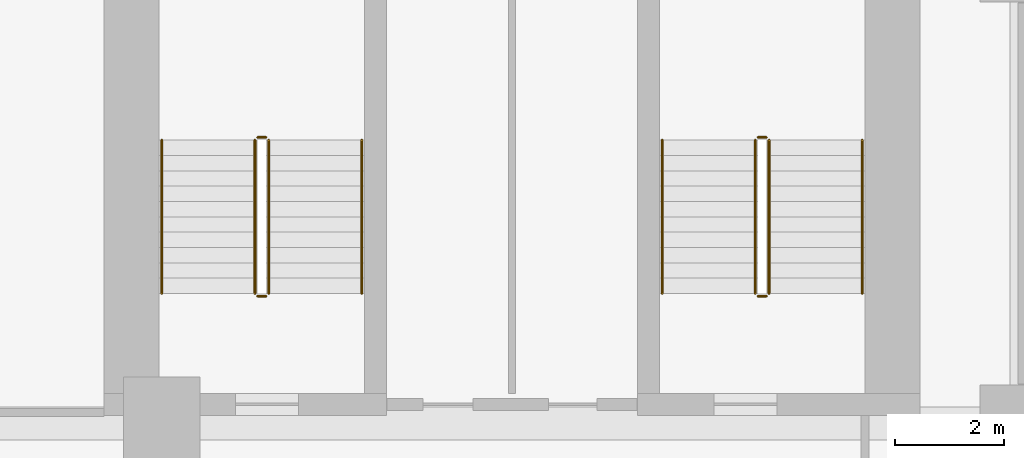
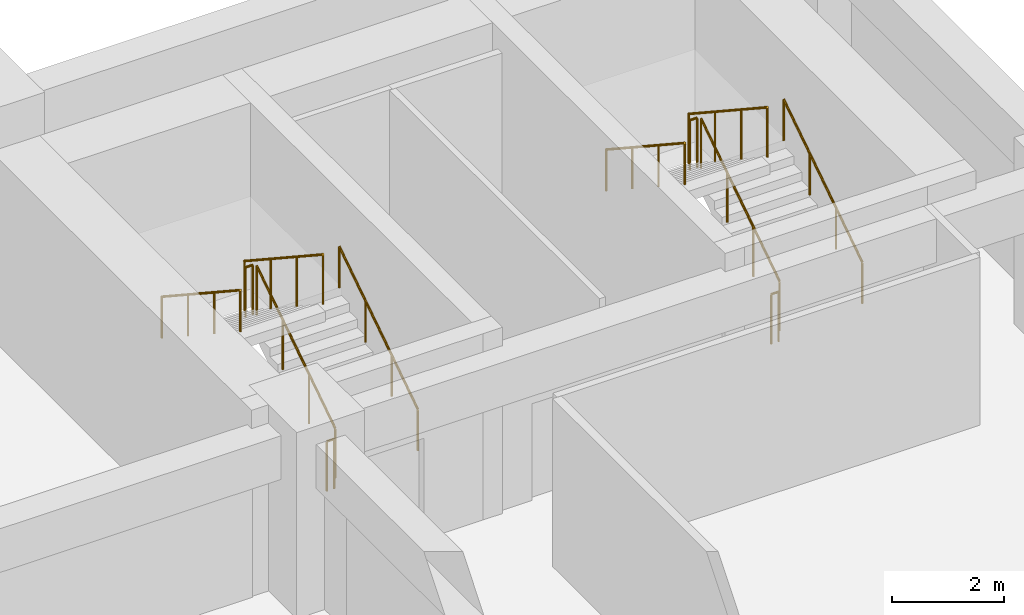
# One storey, part 10 of 11: 12 railings.
"""IFC4 building model written with IfcOpenShell, lengths in metres."""

from ifc_helpers import new_model, si_unit, direction, frame, origin, origin_2d, place, context, subcontext, project, spatial, circle, extrude, material, type_object, element, save


model = new_model("IFC4")

# Units and contexts
model_context = context("Model", 3, precision=1e-05, world=origin(), true_north=direction((0.0, 1.0)))
body_context = subcontext(model_context, "Body", "Model", "MODEL_VIEW")
ifc_project = project(units=[si_unit("LENGTHUNIT", "METRE"), si_unit("AREAUNIT", "SQUARE_METRE"), si_unit("VOLUMEUNIT", "CUBIC_METRE"), si_unit("PLANEANGLEUNIT", "RADIAN"), si_unit("MASSUNIT", "GRAM", prefix="KILO")], contexts=[model_context])

# Site, building, storey
site_placement = place(None, origin())
site = spatial("IfcSite", under=ifc_project, at=site_placement, CompositionType="ELEMENT")
building_placement = place(site_placement, origin())
building = spatial("IfcBuilding", under=site, at=building_placement, Name="Sulina Concourse Tower", CompositionType="ELEMENT")
storey_placement = place(building_placement, frame((0.0, 0.0, 9.449951171875)))
storey = spatial("IfcBuildingStorey", under=building, at=storey_placement, Name="L02", CompositionType="ELEMENT", Elevation=9.449951171875)

# Railings
ifc_material_1 = material(Name="Galvanised steel railing", Category="steel")
railing_type_1 = type_object("IfcRailingType", Name="Core Stair Steel Guardrail 1150mm", PredefinedType="GUARDRAIL", material=ifc_material_1)
railing_1_placement = place(storey_placement, frame((43.554931640625, 36.375, 0.18408203125)))
element("IfcRailing", 1, at=railing_1_placement, inside=storey, type_object=railing_type_1, Name="L02 ST-3 stair guard 1", PredefinedType="GUARDRAIL", context=body_context, shape_type="SweptSolid", body=[
    extrude(circle(Radius=0.02392578125, at=origin_2d()), frame((0.0, 0.0, 1.076171875), z_axis=(0.0, 0.83556406348, 0.549393024911), x_axis=(-1.0, 0.0, 0.0)), (0.0, 0.0, 1.0), 3.35107421875),
    extrude(circle(Radius=0.02099609375, at=origin_2d()), origin(), (0.0, 0.0, 1.0), 1.052001953125),
    extrude(circle(Radius=0.02099609375, at=origin_2d()), frame((0.0, 0.933349609375, 0.61376953125)), (0.0, 0.0, 1.0), 1.052001953125),
    extrude(circle(Radius=0.02099609375, at=origin_2d()), frame((0.0, 1.86669921875, 1.227294921875)), (0.0, 0.0, 1.0), 1.052001953125),
    extrude(circle(Radius=0.02099609375, at=origin_2d()), frame((0.0, 2.800048828125, 1.841064453125)), (0.0, 0.0, 1.0), 1.052001953125),
])
railing_2_placement = place(storey_placement, frame((43.5048828125, 39.22509765625, 2.025146484375)))
element("IfcRailing", 2, at=railing_2_placement, inside=storey, type_object=railing_type_1, Name="L02 ST-3 stair guard 2", PredefinedType="GUARDRAIL", context=body_context, shape_type="SweptSolid", body=[
    extrude(circle(Radius=0.02392578125, at=origin_2d()), frame((0.0, 0.0, 1.076171875), z_axis=(-1.0, 0.0, 0.0), x_axis=(0.0, -1.0, 0.0)), (0.0, 0.0, 1.0), 0.14990234375),
    extrude(circle(Radius=0.02099609375, at=origin_2d()), origin(), (0.0, 0.0, 1.0), 1.052001953125),
    extrude(circle(Radius=0.02099609375, at=origin_2d()), frame((-0.14990234375, 0.0, 0.0)), (0.0, 0.0, 1.0), 1.052001953125),
])
railing_3_placement = place(storey_placement, frame((43.304931640625, 39.175048828125, 2.209228515625)))
element("IfcRailing", 3, at=railing_3_placement, inside=storey, type_object=railing_type_1, Name="L02 ST-3 stair guard 3", PredefinedType="GUARDRAIL", context=body_context, shape_type="SweptSolid", body=[
    extrude(circle(Radius=0.02392578125, at=origin_2d()), frame((0.0, 0.0, 1.076171875), z_axis=(0.0, -0.835597507184, 0.549342157483), x_axis=(1.0, 0.0, 0.0)), (0.0, 0.0, 1.0), 3.35107421875),
    extrude(circle(Radius=0.02099609375, at=origin_2d()), origin(), (0.0, 0.0, 1.0), 1.052001953125),
    extrude(circle(Radius=0.02099609375, at=origin_2d()), frame((0.0, -0.933349609375, 0.613525390625)), (0.0, 0.0, 1.0), 1.052001953125),
    extrude(circle(Radius=0.02099609375, at=origin_2d()), frame((0.0, -1.86669921875, 1.227294921875)), (0.0, 0.0, 1.0), 1.052001953125),
    extrude(circle(Radius=0.02099609375, at=origin_2d()), frame((0.0, -2.800048828125, 1.8408203125)), (0.0, 0.0, 1.0), 1.052001953125),
])
railing_4_placement = place(storey_placement, frame((43.5048828125, 36.324951171875, 0.0)))
element("IfcRailing", 4, at=railing_4_placement, inside=storey, type_object=railing_type_1, Name="L02 ST-3 stair guard 4", PredefinedType="GUARDRAIL", context=body_context, shape_type="SweptSolid", body=[
    extrude(circle(Radius=0.02392578125, at=origin_2d()), frame((0.0, 0.0, 1.076171875), z_axis=(-1.0, 0.0, 0.0), x_axis=(0.0, -1.0, 0.0)), (0.0, 0.0, 1.0), 0.14990234375),
    extrude(circle(Radius=0.02099609375, at=origin_2d()), origin(), (0.0, 0.0, 1.0), 1.052001953125),
    extrude(circle(Radius=0.02099609375, at=origin_2d()), frame((-0.14990234375, 0.0, 0.0)), (0.0, 0.0, 1.0), 1.052001953125),
])
railing_5_placement = place(storey_placement, frame((52.695068359375, 36.375, 0.18408203125)))
element("IfcRailing", 5, at=railing_5_placement, inside=storey, type_object=railing_type_1, Name="L02 ST-4 stair guard 1", PredefinedType="GUARDRAIL", context=body_context, shape_type="SweptSolid", body=[
    extrude(circle(Radius=0.02392578125, at=origin_2d()), frame((0.0, 0.0, 1.076171875), z_axis=(0.0, 0.83556406348, 0.549393024911), x_axis=(-1.0, 0.0, 0.0)), (0.0, 0.0, 1.0), 3.35107421875),
    extrude(circle(Radius=0.02099609375, at=origin_2d()), origin(), (0.0, 0.0, 1.0), 1.052001953125),
    extrude(circle(Radius=0.02099609375, at=origin_2d()), frame((0.0, 0.933349609375, 0.61376953125)), (0.0, 0.0, 1.0), 1.052001953125),
    extrude(circle(Radius=0.02099609375, at=origin_2d()), frame((0.0, 1.86669921875, 1.227294921875)), (0.0, 0.0, 1.0), 1.052001953125),
    extrude(circle(Radius=0.02099609375, at=origin_2d()), frame((0.0, 2.800048828125, 1.841064453125)), (0.0, 0.0, 1.0), 1.052001953125),
])
railing_6_placement = place(storey_placement, frame((52.64501953125, 39.22509765625, 2.025146484375)))
element("IfcRailing", 6, at=railing_6_placement, inside=storey, type_object=railing_type_1, Name="L02 ST-4 stair guard 2", PredefinedType="GUARDRAIL", context=body_context, shape_type="SweptSolid", body=[
    extrude(circle(Radius=0.02392578125, at=origin_2d()), frame((0.0, 0.0, 1.076171875), z_axis=(-1.0, 0.0, 0.0), x_axis=(0.0, -1.0, 0.0)), (0.0, 0.0, 1.0), 0.14990234375),
    extrude(circle(Radius=0.02099609375, at=origin_2d()), origin(), (0.0, 0.0, 1.0), 1.052001953125),
    extrude(circle(Radius=0.02099609375, at=origin_2d()), frame((-0.14990234375, 0.0, 0.0)), (0.0, 0.0, 1.0), 1.052001953125),
])
railing_7_placement = place(storey_placement, frame((52.445068359375, 39.175048828125, 2.209228515625)))
element("IfcRailing", 7, at=railing_7_placement, inside=storey, type_object=railing_type_1, Name="L02 ST-4 stair guard 3", PredefinedType="GUARDRAIL", context=body_context, shape_type="SweptSolid", body=[
    extrude(circle(Radius=0.02392578125, at=origin_2d()), frame((0.0, 0.0, 1.076171875), z_axis=(0.0, -0.835597507184, 0.549342157483), x_axis=(1.0, 0.0, 0.0)), (0.0, 0.0, 1.0), 3.35107421875),
    extrude(circle(Radius=0.02099609375, at=origin_2d()), origin(), (0.0, 0.0, 1.0), 1.052001953125),
    extrude(circle(Radius=0.02099609375, at=origin_2d()), frame((0.0, -0.933349609375, 0.613525390625)), (0.0, 0.0, 1.0), 1.052001953125),
    extrude(circle(Radius=0.02099609375, at=origin_2d()), frame((0.0, -1.86669921875, 1.227294921875)), (0.0, 0.0, 1.0), 1.052001953125),
    extrude(circle(Radius=0.02099609375, at=origin_2d()), frame((0.0, -2.800048828125, 1.8408203125)), (0.0, 0.0, 1.0), 1.052001953125),
])
railing_8_placement = place(storey_placement, frame((52.64501953125, 36.324951171875, 0.0)))
element("IfcRailing", 8, at=railing_8_placement, inside=storey, type_object=railing_type_1, Name="L02 ST-4 stair guard 4", PredefinedType="GUARDRAIL", context=body_context, shape_type="SweptSolid", body=[
    extrude(circle(Radius=0.02392578125, at=origin_2d()), frame((0.0, 0.0, 1.076171875), z_axis=(-1.0, 0.0, 0.0), x_axis=(0.0, -1.0, 0.0)), (0.0, 0.0, 1.0), 0.14990234375),
    extrude(circle(Radius=0.02099609375, at=origin_2d()), origin(), (0.0, 0.0, 1.0), 1.052001953125),
    extrude(circle(Radius=0.02099609375, at=origin_2d()), frame((-0.14990234375, 0.0, 0.0)), (0.0, 0.0, 1.0), 1.052001953125),
])
ifc_material_2 = material(Name="Galvanised steel railing", Category="steel")
railing_type_2 = type_object("IfcRailingType", Name="Stair Wall Steel Handrail 920mm", PredefinedType="HANDRAIL", material=ifc_material_2)
railing_9_placement = place(storey_placement, frame((45.2548828125, 36.375, 0.18408203125)))
element("IfcRailing", 9, at=railing_9_placement, inside=storey, type_object=railing_type_2, Name="L02 ST-3 stair handrail 1", PredefinedType="HANDRAIL", context=body_context, shape_type="SweptSolid", body=[
    extrude(circle(Radius=0.02392578125, at=origin_2d()), frame((0.0, 0.0, 0.89599609375), z_axis=(0.0, 0.83556406348, 0.549393024911), x_axis=(-1.0, 0.0, 0.0)), (0.0, 0.0, 1.0), 3.35107421875),
    extrude(circle(Radius=0.02099609375, at=origin_2d()), origin(), (0.0, 0.0, 1.0), 0.871826171875),
    extrude(circle(Radius=0.02099609375, at=origin_2d()), frame((0.0, 0.933349609375, 0.61376953125)), (0.0, 0.0, 1.0), 0.871826171875),
    extrude(circle(Radius=0.02099609375, at=origin_2d()), frame((0.0, 1.86669921875, 1.227294921875)), (0.0, 0.0, 1.0), 0.871826171875),
    extrude(circle(Radius=0.02099609375, at=origin_2d()), frame((0.0, 2.800048828125, 1.841064453125)), (0.0, 0.0, 1.0), 0.871826171875),
])
railing_10_placement = place(storey_placement, frame((41.60498046875, 39.175048828125, 2.209228515625)))
element("IfcRailing", 10, at=railing_10_placement, inside=storey, type_object=railing_type_2, Name="L02 ST-3 stair handrail 2", PredefinedType="HANDRAIL", context=body_context, shape_type="SweptSolid", body=[
    extrude(circle(Radius=0.02392578125, at=origin_2d()), frame((0.0, 0.0, 0.89599609375), z_axis=(0.0, -0.835597507184, 0.549342157483), x_axis=(1.0, 0.0, 0.0)), (0.0, 0.0, 1.0), 3.35107421875),
    extrude(circle(Radius=0.02099609375, at=origin_2d()), origin(), (0.0, 0.0, 1.0), 0.871826171875),
    extrude(circle(Radius=0.02099609375, at=origin_2d()), frame((0.0, -0.933349609375, 0.613525390625)), (0.0, 0.0, 1.0), 0.871826171875),
    extrude(circle(Radius=0.02099609375, at=origin_2d()), frame((0.0, -1.86669921875, 1.227294921875)), (0.0, 0.0, 1.0), 0.871826171875),
    extrude(circle(Radius=0.02099609375, at=origin_2d()), frame((0.0, -2.800048828125, 1.8408203125)), (0.0, 0.0, 1.0), 0.871826171875),
])
railing_11_placement = place(storey_placement, frame((54.39501953125, 36.375, 0.18408203125)))
element("IfcRailing", 11, at=railing_11_placement, inside=storey, type_object=railing_type_2, Name="L02 ST-4 stair handrail 1", PredefinedType="HANDRAIL", context=body_context, shape_type="SweptSolid", body=[
    extrude(circle(Radius=0.02392578125, at=origin_2d()), frame((0.0, 0.0, 0.89599609375), z_axis=(0.0, 0.83556406348, 0.549393024911), x_axis=(-1.0, 0.0, 0.0)), (0.0, 0.0, 1.0), 3.35107421875),
    extrude(circle(Radius=0.02099609375, at=origin_2d()), origin(), (0.0, 0.0, 1.0), 0.871826171875),
    extrude(circle(Radius=0.02099609375, at=origin_2d()), frame((0.0, 0.933349609375, 0.61376953125)), (0.0, 0.0, 1.0), 0.871826171875),
    extrude(circle(Radius=0.02099609375, at=origin_2d()), frame((0.0, 1.86669921875, 1.227294921875)), (0.0, 0.0, 1.0), 0.871826171875),
    extrude(circle(Radius=0.02099609375, at=origin_2d()), frame((0.0, 2.800048828125, 1.841064453125)), (0.0, 0.0, 1.0), 0.871826171875),
])
railing_12_placement = place(storey_placement, frame((50.7451171875, 39.175048828125, 2.209228515625)))
element("IfcRailing", 12, at=railing_12_placement, inside=storey, type_object=railing_type_2, Name="L02 ST-4 stair handrail 2", PredefinedType="HANDRAIL", context=body_context, shape_type="SweptSolid", body=[
    extrude(circle(Radius=0.02392578125, at=origin_2d()), frame((0.0, 0.0, 0.89599609375), z_axis=(0.0, -0.835597507184, 0.549342157483), x_axis=(1.0, 0.0, 0.0)), (0.0, 0.0, 1.0), 3.35107421875),
    extrude(circle(Radius=0.02099609375, at=origin_2d()), origin(), (0.0, 0.0, 1.0), 0.871826171875),
    extrude(circle(Radius=0.02099609375, at=origin_2d()), frame((0.0, -0.933349609375, 0.613525390625)), (0.0, 0.0, 1.0), 0.871826171875),
    extrude(circle(Radius=0.02099609375, at=origin_2d()), frame((0.0, -1.86669921875, 1.227294921875)), (0.0, 0.0, 1.0), 0.871826171875),
    extrude(circle(Radius=0.02099609375, at=origin_2d()), frame((0.0, -2.800048828125, 1.8408203125)), (0.0, 0.0, 1.0), 0.871826171875),
])

save(model, "model.ifc")
